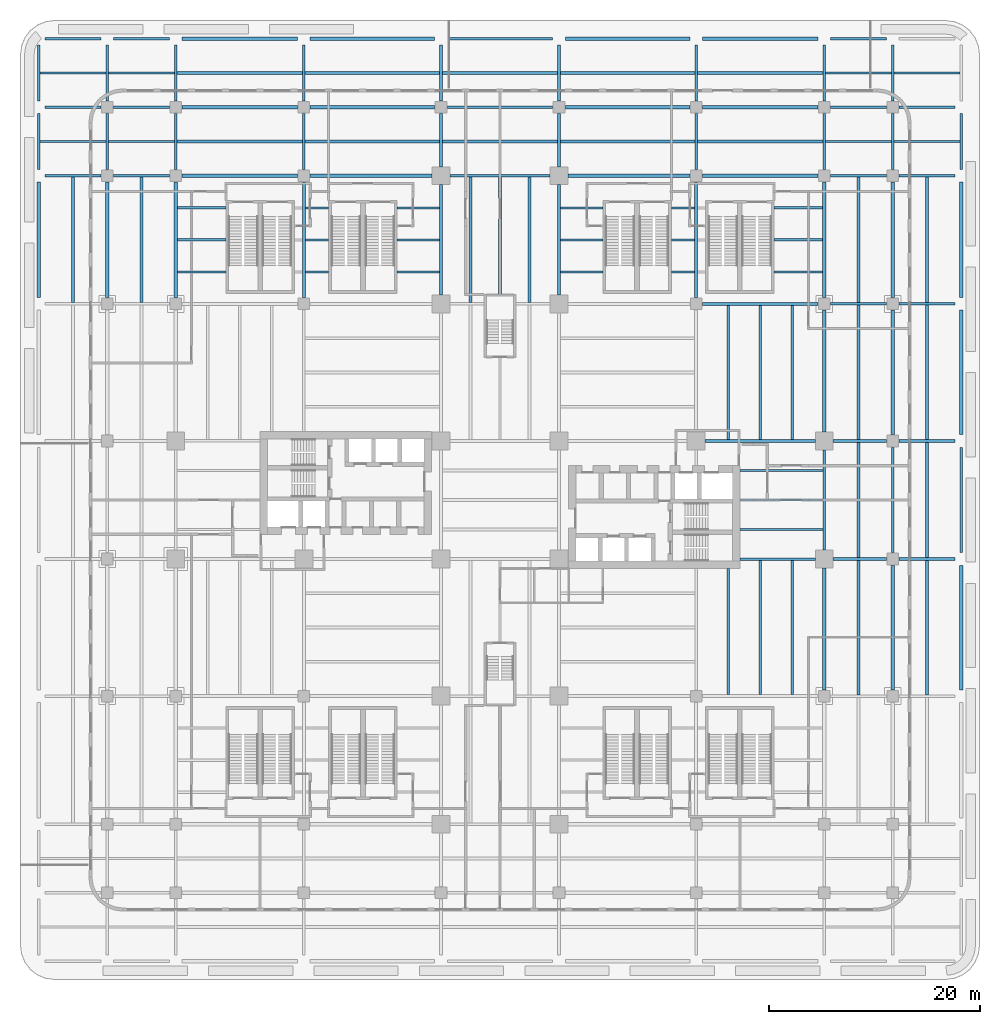
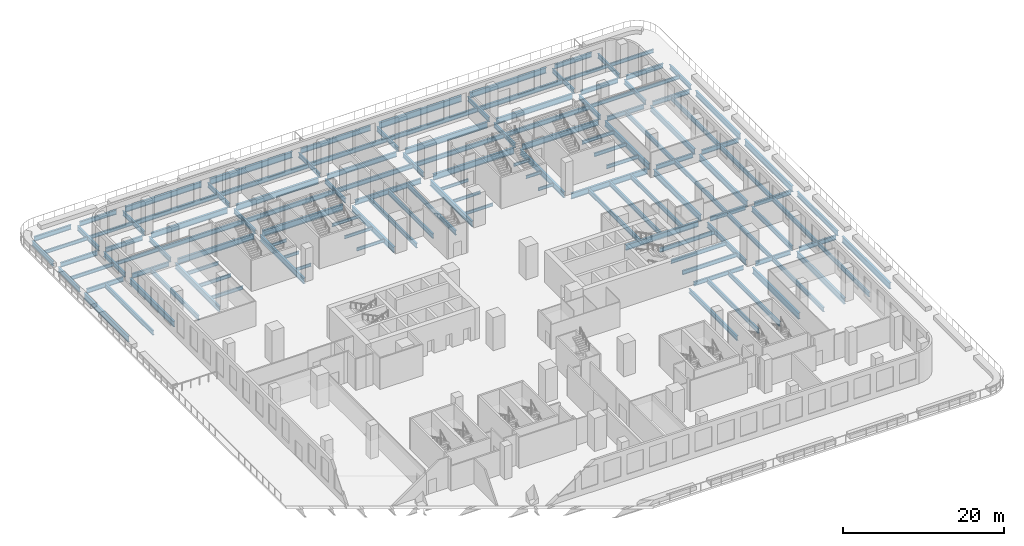
# One storey, part 3 of 18: 131 beams.
"""IFC4 building model written with IfcOpenShell, lengths in metres."""

from ifc_helpers import new_model, si_unit, direction, frame, origin, origin_2d, place, context, subcontext, project, spatial, i_section, extrude, source, transform, mapped, material, material_profile, profile_set, type_object, element, save


model = new_model("IFC4")

# Units and contexts
model_context = context("Model", 3, precision=1e-05, world=origin(), true_north=direction((0.0, 1.0)))
body_context = subcontext(model_context, "Body", "Model", "MODEL_VIEW")
ifc_project = project(units=[si_unit("LENGTHUNIT", "METRE"), si_unit("AREAUNIT", "SQUARE_METRE"), si_unit("VOLUMEUNIT", "CUBIC_METRE"), si_unit("PLANEANGLEUNIT", "RADIAN"), si_unit("MASSUNIT", "GRAM", prefix="KILO")], contexts=[model_context])

# Site, building, storey
site_placement = place(None, origin())
site = spatial("IfcSite", under=ifc_project, at=site_placement, CompositionType="ELEMENT")
building_placement = place(site_placement, origin())
building = spatial("IfcBuilding", under=site, at=building_placement, Name="Trellis Farm Tower", CompositionType="ELEMENT")
storey_placement = place(building_placement, frame((0.0, 0.0, 14.0)))
storey = spatial("IfcBuildingStorey", under=building, at=storey_placement, Name="L02", CompositionType="ELEMENT", Elevation=14.0)

# Beams
ifc_material = material(Name="Steel S355", Category="steel")
ifc_material_profile_1 = material_profile(ifc_material, i_section(OverallWidth=0.253662109375, OverallDepth=0.68359375, WebThickness=0.012451171875, FlangeThickness=0.021728515625, FilletRadius=0.01513671875, at=origin_2d()), Name="UB 686x254x140")
ifc_profile_set_1 = profile_set([ifc_material_profile_1], Name="Steel S355")
beam_type_1 = type_object("IfcBeamType", Name="UB 686x254x140", PredefinedType="BEAM", material=ifc_profile_set_1)
shared_shape_1 = source(origin(), body_context, "Body", "SweptSolid", [
    extrude(i_section(OverallWidth=0.253662109375, OverallDepth=0.68359375, WebThickness=0.012451171875, FlangeThickness=0.021728515625, FilletRadius=0.01513671875, at=origin_2d()), origin(), (0.0, 0.0, 1.0), 5.2998046875),
])
for number, where, z_axis, x_axis, name in (
    (1, (37.85009765625, -5.60009765625, -0.641845703125), (1.0, 0.0, 0.0), (0.0, 1.0, 0.0), "Girder"),
    (2, (37.85009765625, 5.60009765625, -0.641845703125), (1.0, 0.0, 0.0), (0.0, 1.0, 0.0), "Girder"),
    (3, (31.35009765625, 18.60009765625, -0.641845703125), (1.0, 0.0, 0.0), (0.0, 1.0, 0.0), "Girder"),
    (4, (37.85009765625, 18.60009765625, -0.641845703125), (1.0, 0.0, 0.0), (0.0, 1.0, 0.0), "Girder"),
    (5, (-43.14990234375, 30.75, -0.641845703125), (1.0, 0.0, 0.0), (0.0, 1.0, 0.0), "Girder"),
    (6, (-36.64990234375, 30.75, -0.641845703125), (1.0, 0.0, 0.0), (0.0, 1.0, 0.0), "Girder"),
    (7, (31.35009765625, 30.75, -0.641845703125), (1.0, 0.0, 0.0), (0.0, 1.0, 0.0), "Girder"),
    (8, (37.85009765625, 30.75, -0.641845703125), (1.0, 0.0, 0.0), (0.0, 1.0, 0.0), "Girder"),
    (9, (-43.14990234375, 37.25, -0.641845703125), (1.0, 0.0, 0.0), (0.0, 1.0, 0.0), "Girder"),
    (10, (-36.64990234375, 37.25, -0.641845703125), (1.0, 0.0, 0.0), (0.0, 1.0, 0.0), "Girder"),
    (11, (31.35009765625, 37.25, -0.641845703125), (1.0, 0.0, 0.0), (0.0, 1.0, 0.0), "Girder"),
    (12, (37.85009765625, 37.25, -0.641845703125), (1.0, 0.0, 0.0), (0.0, 1.0, 0.0), "Girder"),
    (13, (-43.14990234375, 43.75, -0.641845703125), (1.0, 0.0, 0.0), (0.0, 1.0, 0.0), "Girder"),
    (14, (-36.64990234375, 43.75, -0.641845703125), (1.0, 0.0, 0.0), (0.0, 1.0, 0.0), "Girder"),
    (15, (31.35009765625, 43.75, -0.641845703125), (1.0, 0.0, 0.0), (0.0, 1.0, 0.0), "Girder"),
    (16, (-43.75, 31.35009765625, -0.641845703125), (0.0, 1.0, 0.0), (-1.0, 0.0, 0.0), "Girder"),
    (17, (-43.75, 37.85009765625, -0.641845703125), (0.0, 1.0, 0.0), (-1.0, 0.0, 0.0), "Girder"),
    (18, (-37.25, 31.35009765625, -0.641845703125), (0.0, 1.0, 0.0), (-1.0, 0.0, 0.0), "Girder"),
    (19, (-37.25, 37.85009765625, -0.641845703125), (0.0, 1.0, 0.0), (-1.0, 0.0, 0.0), "Girder"),
    (20, (-30.75, 31.35009765625, -0.641845703125), (0.0, 1.0, 0.0), (-1.0, 0.0, 0.0), "Girder"),
    (21, (-30.75, 37.85009765625, -0.641845703125), (0.0, 1.0, 0.0), (-1.0, 0.0, 0.0), "Girder"),
    (22, (-18.60009765625, 31.35009765625, -0.641845703125), (0.0, 1.0, 0.0), (-1.0, 0.0, 0.0), "Girder"),
    (23, (-18.60009765625, 37.85009765625, -0.641845703125), (0.0, 1.0, 0.0), (-1.0, 0.0, 0.0), "Girder"),
    (24, (-5.60009765625, 37.85009765625, -0.641845703125), (0.0, 1.0, 0.0), (-1.0, 0.0, 0.0), "Girder"),
    (25, (5.60009765625, 37.85009765625, -0.641845703125), (0.0, 1.0, 0.0), (-1.0, 0.0, 0.0), "Girder"),
    (26, (18.60009765625, 31.35009765625, -0.641845703125), (0.0, 1.0, 0.0), (-1.0, 0.0, 0.0), "Girder"),
    (27, (18.60009765625, 37.85009765625, -0.641845703125), (0.0, 1.0, 0.0), (-1.0, 0.0, 0.0), "Girder"),
    (28, (30.75, 31.35009765625, -0.641845703125), (0.0, 1.0, 0.0), (-1.0, 0.0, 0.0), "Girder"),
    (29, (30.75, 37.85009765625, -0.641845703125), (0.0, 1.0, 0.0), (-1.0, 0.0, 0.0), "Girder"),
    (30, (37.25, 31.35009765625, -0.641845703125), (0.0, 1.0, 0.0), (-1.0, 0.0, 0.0), "Girder"),
    (31, (37.25, 37.85009765625, -0.641845703125), (0.0, 1.0, 0.0), (-1.0, 0.0, 0.0), "Girder"),
    (32, (43.75, 31.35009765625, -0.641845703125), (0.0, 1.0, 0.0), (-1.0, 0.0, 0.0), "Girder"),
):
    element("IfcBeam", number, at=place(storey_placement, frame(where, z_axis=z_axis, x_axis=x_axis)), inside=storey, type_object=beam_type_1, Name=name, PredefinedType="BEAM", context=body_context, shape_type="MappedRepresentation", body=[
        mapped(shared_shape_1, transform((0.0, 0.0, 0.0))),
    ])
ifc_material_profile_2 = material_profile(ifc_material, i_section(OverallWidth=0.305419921875, OverallDepth=0.91845703125, WebThickness=0.017333984375, FlangeThickness=0.02783203125, FilletRadius=0.01904296875, at=origin_2d()), Name="UB 914x305x253")
ifc_profile_set_2 = profile_set([ifc_material_profile_2], Name="Steel S355")
beam_type_2 = type_object("IfcBeamType", Name="UB 914x305x253", PredefinedType="BEAM", material=ifc_profile_set_2)
shared_shape_2 = source(origin(), body_context, "Body", "SweptSolid", [
    extrude(i_section(OverallWidth=0.305419921875, OverallDepth=0.91845703125, WebThickness=0.017333984375, FlangeThickness=0.02783203125, FilletRadius=0.01904296875, at=origin_2d()), origin(), (0.0, 0.0, 1.0), 11.800048828125),
])
for number, where, z_axis, x_axis, name in (
    (33, (-18.0, 37.25, -0.75927734375), (1.0, 0.0, 0.0), (0.0, 1.0, 0.0), "Girder"),
    (34, (6.199951171875, 37.25, -0.75927734375), (1.0, 0.0, 0.0), (0.0, 1.0, 0.0), "Girder"),
    (35, (-18.0, 43.75, -0.75927734375), (1.0, 0.0, 0.0), (0.0, 1.0, 0.0), "Girder"),
    (36, (6.199951171875, 43.75, -0.75927734375), (1.0, 0.0, 0.0), (0.0, 1.0, 0.0), "Girder"),
    (37, (37.25, -18.0, -0.75927734375), (0.0, 1.0, 0.0), (-1.0, 0.0, 0.0), "Girder"),
    (38, (37.25, 6.199951171875, -0.75927734375), (0.0, 1.0, 0.0), (-1.0, 0.0, 0.0), "Girder"),
    (39, (43.75, -18.0, -0.75927734375), (0.0, 1.0, 0.0), (-1.0, 0.0, 0.0), "Girder"),
    (40, (43.75, 6.199951171875, -0.75927734375), (0.0, 1.0, 0.0), (-1.0, 0.0, 0.0), "Girder"),
):
    element("IfcBeam", number, at=place(storey_placement, frame(where, z_axis=z_axis, x_axis=x_axis)), inside=storey, type_object=beam_type_2, Name=name, PredefinedType="BEAM", context=body_context, shape_type="MappedRepresentation", body=[
        mapped(shared_shape_2, transform((0.0, 0.0, 0.0))),
    ])
ifc_material_profile_3 = material_profile(ifc_material, i_section(OverallWidth=0.29248046875, OverallDepth=0.8408203125, WebThickness=0.0146484375, FlangeThickness=0.021728515625, FilletRadius=0.017822265625, at=origin_2d()), Name="UB 838x292x194")
ifc_profile_set_3 = profile_set([ifc_material_profile_3], Name="Steel S355")
beam_type_3 = type_object("IfcBeamType", Name="UB 838x292x194", PredefinedType="BEAM", material=ifc_profile_set_3)
shared_shape_3 = source(origin(), body_context, "Body", "SweptSolid", [
    extrude(i_section(OverallWidth=0.29248046875, OverallDepth=0.8408203125, WebThickness=0.0146484375, FlangeThickness=0.021728515625, FilletRadius=0.017822265625, at=origin_2d()), origin(), (0.0, 0.0, 1.0), 10.949951171875),
])
for number, where, z_axis, x_axis, name in (
    (41, (19.199951171875, 18.60009765625, -0.72021484375), (1.0, 0.0, 0.0), (0.0, 1.0, 0.0), "Girder"),
    (42, (-30.14990234375, 30.75, -0.72021484375), (1.0, 0.0, 0.0), (0.0, 1.0, 0.0), "Girder"),
    (43, (19.199951171875, 30.75, -0.72021484375), (1.0, 0.0, 0.0), (0.0, 1.0, 0.0), "Girder"),
    (44, (-30.14990234375, 37.25, -0.72021484375), (1.0, 0.0, 0.0), (0.0, 1.0, 0.0), "Girder"),
    (45, (19.199951171875, 37.25, -0.72021484375), (1.0, 0.0, 0.0), (0.0, 1.0, 0.0), "Girder"),
    (46, (-30.14990234375, 43.75, -0.72021484375), (1.0, 0.0, 0.0), (0.0, 1.0, 0.0), "Girder"),
    (47, (19.199951171875, 43.75, -0.72021484375), (1.0, 0.0, 0.0), (0.0, 1.0, 0.0), "Girder"),
    (48, (-43.75, 19.199951171875, -0.72021484375), (0.0, 1.0, 0.0), (-1.0, 0.0, 0.0), "Girder"),
    (49, (-37.25, 19.199951171875, -0.72021484375), (0.0, 1.0, 0.0), (-1.0, 0.0, 0.0), "Girder"),
    (50, (-30.75, 19.199951171875, -0.72021484375), (0.0, 1.0, 0.0), (-1.0, 0.0, 0.0), "Girder"),
    (51, (-18.60009765625, 19.199951171875, -0.72021484375), (0.0, 1.0, 0.0), (-1.0, 0.0, 0.0), "Girder"),
    (52, (18.60009765625, 19.199951171875, -0.72021484375), (0.0, 1.0, 0.0), (-1.0, 0.0, 0.0), "Girder"),
    (53, (30.75, 19.199951171875, -0.72021484375), (0.0, 1.0, 0.0), (-1.0, 0.0, 0.0), "Girder"),
    (54, (37.25, 19.199951171875, -0.72021484375), (0.0, 1.0, 0.0), (-1.0, 0.0, 0.0), "Girder"),
    (55, (43.75, 19.199951171875, -0.72021484375), (0.0, 1.0, 0.0), (-1.0, 0.0, 0.0), "Girder"),
):
    element("IfcBeam", number, at=place(storey_placement, frame(where, z_axis=z_axis, x_axis=x_axis)), inside=storey, type_object=beam_type_3, Name=name, PredefinedType="BEAM", context=body_context, shape_type="MappedRepresentation", body=[
        mapped(shared_shape_3, transform((0.0, 0.0, 0.0))),
    ])
ifc_material_profile_4 = material_profile(ifc_material, i_section(OverallWidth=0.2666015625, OverallDepth=0.76220703125, WebThickness=0.014404296875, FlangeThickness=0.021484375, FilletRadius=0.0166015625, at=origin_2d()), Name="UB 762x267x173")
ifc_profile_set_4 = profile_set([ifc_material_profile_4], Name="Steel S355")
beam_type_4 = type_object("IfcBeamType", Name="UB 762x267x173", PredefinedType="BEAM", material=ifc_profile_set_4)
shared_shape_4 = source(origin(), body_context, "Body", "SweptSolid", [
    extrude(i_section(OverallWidth=0.2666015625, OverallDepth=0.76220703125, WebThickness=0.014404296875, FlangeThickness=0.021484375, FilletRadius=0.0166015625, at=origin_2d()), origin(), (0.0, 0.0, 1.0), 10.0),
])
for number, where, z_axis, x_axis, name in (
    (56, (-5.0, 37.25, -0.68115234375), (1.0, 0.0, 0.0), (0.0, 1.0, 0.0), "Girder"),
    (57, (-5.0, 43.75, -0.68115234375), (1.0, 0.0, 0.0), (0.0, 1.0, 0.0), "Girder"),
    (58, (37.25, -5.0, -0.68115234375), (0.0, 1.0, 0.0), (-1.0, 0.0, 0.0), "Girder"),
    (59, (43.75, -5.0, -0.68115234375), (0.0, 1.0, 0.0), (-1.0, 0.0, 0.0), "Girder"),
):
    element("IfcBeam", number, at=place(storey_placement, frame(where, z_axis=z_axis, x_axis=x_axis)), inside=storey, type_object=beam_type_4, Name=name, PredefinedType="BEAM", context=body_context, shape_type="MappedRepresentation", body=[
        mapped(shared_shape_4, transform((0.0, 0.0, 0.0))),
    ])
shared_shape_5 = source(origin(), body_context, "Body", "SweptSolid", [
    extrude(i_section(OverallWidth=0.305419921875, OverallDepth=0.91845703125, WebThickness=0.017333984375, FlangeThickness=0.02783203125, FilletRadius=0.01904296875, at=origin_2d()), origin(), (0.0, 0.0, 1.0), 11.550048828125),
])
for number, where, z_axis, x_axis, name in (
    (60, (-18.0, 30.75, -0.75927734375), (1.0, 0.0, 0.0), (0.0, 1.0, 0.0), "Girder"),
    (61, (6.449951171875, 30.75, -0.75927734375), (1.0, 0.0, 0.0), (0.0, 1.0, 0.0), "Girder"),
    (62, (30.75, -18.0, -0.75927734375), (0.0, 1.0, 0.0), (-1.0, 0.0, 0.0), "Girder"),
    (63, (30.75, 6.449951171875, -0.75927734375), (0.0, 1.0, 0.0), (-1.0, 0.0, 0.0), "Girder"),
):
    element("IfcBeam", number, at=place(storey_placement, frame(where, z_axis=z_axis, x_axis=x_axis)), inside=storey, type_object=beam_type_2, Name=name, PredefinedType="BEAM", context=body_context, shape_type="MappedRepresentation", body=[
        mapped(shared_shape_5, transform((0.0, 0.0, 0.0))),
    ])
shared_shape_6 = source(origin(), body_context, "Body", "SweptSolid", [
    extrude(i_section(OverallWidth=0.2666015625, OverallDepth=0.76220703125, WebThickness=0.014404296875, FlangeThickness=0.021484375, FilletRadius=0.0166015625, at=origin_2d()), origin(), (0.0, 0.0, 1.0), 9.5),
])
for number, where, z_axis, x_axis, name in (
    (64, (-4.75, 30.75, -0.68115234375), (1.0, 0.0, 0.0), (0.0, 1.0, 0.0), "Girder"),
    (65, (30.75, -4.75, -0.68115234375), (0.0, 1.0, 0.0), (-1.0, 0.0, 0.0), "Girder"),
):
    element("IfcBeam", number, at=place(storey_placement, frame(where, z_axis=z_axis, x_axis=x_axis)), inside=storey, type_object=beam_type_4, Name=name, PredefinedType="BEAM", context=body_context, shape_type="MappedRepresentation", body=[
        mapped(shared_shape_6, transform((0.0, 0.0, 0.0))),
    ])
shared_shape_7 = source(origin(), body_context, "Body", "SweptSolid", [
    extrude(i_section(OverallWidth=0.253662109375, OverallDepth=0.68359375, WebThickness=0.012451171875, FlangeThickness=0.021728515625, FilletRadius=0.01513671875, at=origin_2d()), origin(), (0.0, 0.0, 1.0), 5.0498046875),
])
for number, where, z_axis, x_axis, name in (
    (66, (31.60009765625, -5.60009765625, -0.641845703125), (1.0, 0.0, 0.0), (0.0, 1.0, 0.0), "Girder"),
    (67, (31.60009765625, 5.60009765625, -0.641845703125), (1.0, 0.0, 0.0), (0.0, 1.0, 0.0), "Girder"),
    (68, (-5.60009765625, 31.60009765625, -0.641845703125), (0.0, 1.0, 0.0), (-1.0, 0.0, 0.0), "Girder"),
    (69, (5.60009765625, 31.60009765625, -0.641845703125), (0.0, 1.0, 0.0), (-1.0, 0.0, 0.0), "Girder"),
):
    element("IfcBeam", number, at=place(storey_placement, frame(where, z_axis=z_axis, x_axis=x_axis)), inside=storey, type_object=beam_type_1, Name=name, PredefinedType="BEAM", context=body_context, shape_type="MappedRepresentation", body=[
        mapped(shared_shape_7, transform((0.0, 0.0, 0.0))),
    ])
ifc_material_profile_5 = material_profile(ifc_material, i_section(OverallWidth=0.22900390625, OverallDepth=0.6123046875, WebThickness=0.011962890625, FlangeThickness=0.01953125, FilletRadius=0.0126953125, at=origin_2d()), Name="UB 610x229x125")
ifc_profile_set_5 = profile_set([ifc_material_profile_5], Name="Steel S355")
beam_type_5 = type_object("IfcBeamType", Name="UB 610x229x125", PredefinedType="BEAM", material=ifc_profile_set_5)
shared_shape_8 = source(origin(), body_context, "Body", "SweptSolid", [
    extrude(i_section(OverallWidth=0.22900390625, OverallDepth=0.6123046875, WebThickness=0.011962890625, FlangeThickness=0.01953125, FilletRadius=0.0126953125, at=origin_2d()), origin(), (0.0, 0.0, 1.0), 7.14990234375),
])
beam_1_placement = place(storey_placement, frame((22.75, -5.60009765625, -0.606201171875), z_axis=(1.0, 0.0, 0.0), x_axis=(0.0, 1.0, 0.0)))
element("IfcBeam", 70, at=beam_1_placement, inside=storey, type_object=beam_type_5, Name="Girder", PredefinedType="BEAM", context=body_context, shape_type="MappedRepresentation", body=[
    mapped(shared_shape_8, transform((0.0, 0.0, 0.0))),
])
shared_shape_9 = source(origin(), body_context, "Body", "SweptSolid", [
    extrude(i_section(OverallWidth=0.29248046875, OverallDepth=0.8408203125, WebThickness=0.0146484375, FlangeThickness=0.021728515625, FilletRadius=0.017822265625, at=origin_2d()), origin(), (0.0, 0.0, 1.0), 10.449951171875),
])
for number, where, z_axis, x_axis, name in (
    (71, (19.449951171875, 5.60009765625, -0.72021484375), (1.0, 0.0, 0.0), (0.0, 1.0, 0.0), "Girder"),
    (72, (-5.60009765625, 19.449951171875, -0.72021484375), (0.0, 1.0, 0.0), (-1.0, 0.0, 0.0), "Girder"),
    (73, (5.60009765625, 19.449951171875, -0.72021484375), (0.0, 1.0, 0.0), (-1.0, 0.0, 0.0), "Girder"),
):
    element("IfcBeam", number, at=place(storey_placement, frame(where, z_axis=z_axis, x_axis=x_axis)), inside=storey, type_object=beam_type_3, Name=name, PredefinedType="BEAM", context=body_context, shape_type="MappedRepresentation", body=[
        mapped(shared_shape_9, transform((0.0, 0.0, 0.0))),
    ])
ifc_material_profile_6 = material_profile(ifc_material, i_section(OverallWidth=0.253662109375, OverallDepth=0.68359375, WebThickness=0.012451171875, FlangeThickness=0.021728515625, FilletRadius=0.01513671875, at=origin_2d()), Name="UB 686x254x140")
ifc_profile_set_6 = profile_set([ifc_material_profile_6], Name="Steel S355")
beam_type_6 = type_object("IfcBeamType", Name="UB 686x254x140 joist", PredefinedType="JOIST", material=ifc_profile_set_6)
shared_shape_10 = source(origin(), body_context, "Body", "SweptSolid", [
    extrude(i_section(OverallWidth=0.253662109375, OverallDepth=0.68359375, WebThickness=0.012451171875, FlangeThickness=0.021728515625, FilletRadius=0.01513671875, at=origin_2d()), origin(), (0.0, 0.0, 1.0), 12.746337890625),
])
for number, where, z_axis, x_axis, name in (
    (74, (-18.47314453125, 34.0, -0.641845703125), (1.0, 0.0, 0.0), (0.0, 1.0, 0.0), "Floor beam"),
    (75, (5.726806640625, 34.0, -0.641845703125), (1.0, 0.0, 0.0), (0.0, 1.0, 0.0), "Floor beam"),
    (76, (-18.47314453125, 40.5, -0.641845703125), (1.0, 0.0, 0.0), (0.0, 1.0, 0.0), "Floor beam"),
    (77, (5.726806640625, 40.5, -0.641845703125), (1.0, 0.0, 0.0), (0.0, 1.0, 0.0), "Floor beam"),
    (78, (34.0, -18.47314453125, -0.641845703125), (0.0, 1.0, 0.0), (-1.0, 0.0, 0.0), "Floor beam"),
    (79, (34.0, 5.726806640625, -0.641845703125), (0.0, 1.0, 0.0), (-1.0, 0.0, 0.0), "Floor beam"),
    (80, (40.5, -18.47314453125, -0.641845703125), (0.0, 1.0, 0.0), (-1.0, 0.0, 0.0), "Floor beam"),
    (81, (40.5, 5.726806640625, -0.641845703125), (0.0, 1.0, 0.0), (-1.0, 0.0, 0.0), "Floor beam"),
):
    element("IfcBeam", number, at=place(storey_placement, frame(where, z_axis=z_axis, x_axis=x_axis)), inside=storey, type_object=beam_type_6, Name=name, PredefinedType="JOIST", context=body_context, shape_type="MappedRepresentation", body=[
        mapped(shared_shape_10, transform((0.0, 0.0, 0.0))),
    ])
shared_shape_11 = source(origin(), body_context, "Body", "SweptSolid", [
    extrude(i_section(OverallWidth=0.253662109375, OverallDepth=0.68359375, WebThickness=0.012451171875, FlangeThickness=0.021728515625, FilletRadius=0.01513671875, at=origin_2d()), origin(), (0.0, 0.0, 1.0), 11.896240234375),
])
for number, where, z_axis, x_axis, name in (
    (82, (-30.623046875, 34.0, -0.641845703125), (1.0, 0.0, 0.0), (0.0, 1.0, 0.0), "Floor beam"),
    (83, (18.726806640625, 34.0, -0.641845703125), (1.0, 0.0, 0.0), (0.0, 1.0, 0.0), "Floor beam"),
    (84, (-30.623046875, 40.5, -0.641845703125), (1.0, 0.0, 0.0), (0.0, 1.0, 0.0), "Floor beam"),
    (85, (18.726806640625, 40.5, -0.641845703125), (1.0, 0.0, 0.0), (0.0, 1.0, 0.0), "Floor beam"),
    (86, (-40.5, 18.726806640625, -0.641845703125), (0.0, 1.0, 0.0), (-1.0, 0.0, 0.0), "Floor beam"),
    (87, (-34.0, 18.726806640625, -0.641845703125), (0.0, 1.0, 0.0), (-1.0, 0.0, 0.0), "Floor beam"),
    (88, (34.0, 18.726806640625, -0.641845703125), (0.0, 1.0, 0.0), (-1.0, 0.0, 0.0), "Floor beam"),
    (89, (40.5, 18.726806640625, -0.641845703125), (0.0, 1.0, 0.0), (-1.0, 0.0, 0.0), "Floor beam"),
):
    element("IfcBeam", number, at=place(storey_placement, frame(where, z_axis=z_axis, x_axis=x_axis)), inside=storey, type_object=beam_type_6, Name=name, PredefinedType="JOIST", context=body_context, shape_type="MappedRepresentation", body=[
        mapped(shared_shape_11, transform((0.0, 0.0, 0.0))),
    ])
ifc_material_profile_7 = material_profile(ifc_material, i_section(OverallWidth=0.209228515625, OverallDepth=0.533203125, WebThickness=0.010009765625, FlangeThickness=0.015625, FilletRadius=0.0126953125, at=origin_2d()), Name="UB 533x210x92")
ifc_profile_set_7 = profile_set([ifc_material_profile_7], Name="Steel S355")
beam_type_7 = type_object("IfcBeamType", Name="UB 533x210x92 joist", PredefinedType="JOIST", material=ifc_profile_set_7)
shared_shape_12 = source(origin(), body_context, "Body", "SweptSolid", [
    extrude(i_section(OverallWidth=0.209228515625, OverallDepth=0.533203125, WebThickness=0.010009765625, FlangeThickness=0.015625, FilletRadius=0.0126953125, at=origin_2d()), origin(), (0.0, 0.0, 1.0), 6.246337890625),
])
for number, where, z_axis, x_axis, name in (
    (90, (-37.123291015625, 34.0, -0.566650390625), (1.0, 0.0, 0.0), (0.0, 1.0, 0.0), "Floor beam"),
    (91, (30.876953125, 34.0, -0.566650390625), (1.0, 0.0, 0.0), (0.0, 1.0, 0.0), "Floor beam"),
    (92, (-37.123291015625, 40.5, -0.566650390625), (1.0, 0.0, 0.0), (0.0, 1.0, 0.0), "Floor beam"),
    (93, (30.876953125, 40.5, -0.566650390625), (1.0, 0.0, 0.0), (0.0, 1.0, 0.0), "Floor beam"),
):
    element("IfcBeam", number, at=place(storey_placement, frame(where, z_axis=z_axis, x_axis=x_axis)), inside=storey, type_object=beam_type_7, Name=name, PredefinedType="JOIST", context=body_context, shape_type="MappedRepresentation", body=[
        mapped(shared_shape_12, transform((0.0, 0.0, 0.0))),
    ])
shared_shape_13 = source(origin(), body_context, "Body", "SweptSolid", [
    extrude(i_section(OverallWidth=0.209228515625, OverallDepth=0.533203125, WebThickness=0.010009765625, FlangeThickness=0.015625, FilletRadius=0.0126953125, at=origin_2d()), origin(), (0.0, 0.0, 1.0), 6.24658203125),
])
for number, where, z_axis, x_axis, name in (
    (94, (-43.623291015625, 34.0, -0.566650390625), (1.0, 0.0, 0.0), (0.0, 1.0, 0.0), "Floor beam"),
    (95, (37.376708984375, 34.0, -0.566650390625), (1.0, 0.0, 0.0), (0.0, 1.0, 0.0), "Floor beam"),
    (96, (-43.623291015625, 40.5, -0.566650390625), (1.0, 0.0, 0.0), (0.0, 1.0, 0.0), "Floor beam"),
    (97, (37.376708984375, 40.5, -0.566650390625), (1.0, 0.0, 0.0), (0.0, 1.0, 0.0), "Floor beam"),
):
    element("IfcBeam", number, at=place(storey_placement, frame(where, z_axis=z_axis, x_axis=x_axis)), inside=storey, type_object=beam_type_7, Name=name, PredefinedType="JOIST", context=body_context, shape_type="MappedRepresentation", body=[
        mapped(shared_shape_13, transform((0.0, 0.0, 0.0))),
    ])
shared_shape_14 = source(origin(), body_context, "Body", "SweptSolid", [
    extrude(i_section(OverallWidth=0.253662109375, OverallDepth=0.68359375, WebThickness=0.012451171875, FlangeThickness=0.021728515625, FilletRadius=0.01513671875, at=origin_2d()), origin(), (0.0, 0.0, 1.0), 10.9462890625),
])
for number, where, z_axis, x_axis, name in (
    (98, (-5.47314453125, 34.0, -0.641845703125), (1.0, 0.0, 0.0), (0.0, 1.0, 0.0), "Floor beam"),
    (99, (-5.47314453125, 40.5, -0.641845703125), (1.0, 0.0, 0.0), (0.0, 1.0, 0.0), "Floor beam"),
    (100, (34.0, -5.47314453125, -0.641845703125), (0.0, 1.0, 0.0), (-1.0, 0.0, 0.0), "Floor beam"),
    (101, (40.5, -5.47314453125, -0.641845703125), (0.0, 1.0, 0.0), (-1.0, 0.0, 0.0), "Floor beam"),
):
    element("IfcBeam", number, at=place(storey_placement, frame(where, z_axis=z_axis, x_axis=x_axis)), inside=storey, type_object=beam_type_6, Name=name, PredefinedType="JOIST", context=body_context, shape_type="MappedRepresentation", body=[
        mapped(shared_shape_14, transform((0.0, 0.0, 0.0))),
    ])
ifc_material_profile_8 = material_profile(ifc_material, i_section(OverallWidth=0.1904296875, OverallDepth=0.45703125, WebThickness=0.009033203125, FlangeThickness=0.014404296875, FilletRadius=0.01025390625, at=origin_2d()), Name="UB 457x191x74")
ifc_profile_set_8 = profile_set([ifc_material_profile_8], Name="Steel S355")
beam_type_8 = type_object("IfcBeamType", Name="UB 457x191x74 joist", PredefinedType="JOIST", material=ifc_profile_set_8)
shared_shape_15 = source(origin(), body_context, "Body", "SweptSolid", [
    extrude(i_section(OverallWidth=0.1904296875, OverallDepth=0.45703125, WebThickness=0.009033203125, FlangeThickness=0.014404296875, FilletRadius=0.01025390625, at=origin_2d()), origin(), (0.0, 0.0, 1.0), 4.00390625),
])
for number, where, z_axis, x_axis, name in (
    (102, (-9.75, 21.637451171875, -0.528564453125), (1.0, 0.0, 0.0), (0.0, 1.0, 0.0), "Floor beam"),
    (103, (5.74609375, 21.637451171875, -0.528564453125), (1.0, 0.0, 0.0), (0.0, 1.0, 0.0), "Floor beam"),
    (104, (-9.75, 24.675048828125, -0.528564453125), (1.0, 0.0, 0.0), (0.0, 1.0, 0.0), "Floor beam"),
    (105, (5.74609375, 24.675048828125, -0.528564453125), (1.0, 0.0, 0.0), (0.0, 1.0, 0.0), "Floor beam"),
    (106, (-9.75, 27.71240234375, -0.528564453125), (1.0, 0.0, 0.0), (0.0, 1.0, 0.0), "Floor beam"),
    (107, (5.74609375, 27.71240234375, -0.528564453125), (1.0, 0.0, 0.0), (0.0, 1.0, 0.0), "Floor beam"),
):
    element("IfcBeam", number, at=place(storey_placement, frame(where, z_axis=z_axis, x_axis=x_axis)), inside=storey, type_object=beam_type_8, Name=name, PredefinedType="JOIST", context=body_context, shape_type="MappedRepresentation", body=[
        mapped(shared_shape_15, transform((0.0, 0.0, 0.0))),
    ])
shared_shape_16 = source(origin(), body_context, "Body", "SweptSolid", [
    extrude(i_section(OverallWidth=0.1904296875, OverallDepth=0.45703125, WebThickness=0.009033203125, FlangeThickness=0.014404296875, FilletRadius=0.01025390625, at=origin_2d()), origin(), (0.0, 0.0, 1.0), 2.203857421875),
])
for number, where, z_axis, x_axis, name in (
    (108, (-18.453857421875, 21.637451171875, -0.528564453125), (1.0, 0.0, 0.0), (0.0, 1.0, 0.0), "Floor beam"),
    (109, (16.25, 21.637451171875, -0.528564453125), (1.0, 0.0, 0.0), (0.0, 1.0, 0.0), "Floor beam"),
    (110, (-18.453857421875, 24.675048828125, -0.528564453125), (1.0, 0.0, 0.0), (0.0, 1.0, 0.0), "Floor beam"),
    (111, (16.25, 24.675048828125, -0.528564453125), (1.0, 0.0, 0.0), (0.0, 1.0, 0.0), "Floor beam"),
    (112, (-18.453857421875, 27.71240234375, -0.528564453125), (1.0, 0.0, 0.0), (0.0, 1.0, 0.0), "Floor beam"),
    (113, (16.25, 27.71240234375, -0.528564453125), (1.0, 0.0, 0.0), (0.0, 1.0, 0.0), "Floor beam"),
):
    element("IfcBeam", number, at=place(storey_placement, frame(where, z_axis=z_axis, x_axis=x_axis)), inside=storey, type_object=beam_type_8, Name=name, PredefinedType="JOIST", context=body_context, shape_type="MappedRepresentation", body=[
        mapped(shared_shape_16, transform((0.0, 0.0, 0.0))),
    ])
shared_shape_17 = source(origin(), body_context, "Body", "SweptSolid", [
    extrude(i_section(OverallWidth=0.209228515625, OverallDepth=0.533203125, WebThickness=0.010009765625, FlangeThickness=0.015625, FilletRadius=0.0126953125, at=origin_2d()), origin(), (0.0, 0.0, 1.0), 4.603759765625),
])
for number, where, z_axis, x_axis, name in (
    (114, (-30.603759765625, 21.637451171875, -0.566650390625), (1.0, 0.0, 0.0), (0.0, 1.0, 0.0), "Floor beam"),
    (115, (26.0, 21.637451171875, -0.566650390625), (1.0, 0.0, 0.0), (0.0, 1.0, 0.0), "Floor beam"),
    (116, (-30.603759765625, 24.675048828125, -0.566650390625), (1.0, 0.0, 0.0), (0.0, 1.0, 0.0), "Floor beam"),
    (117, (26.0, 24.675048828125, -0.566650390625), (1.0, 0.0, 0.0), (0.0, 1.0, 0.0), "Floor beam"),
    (118, (-30.603759765625, 27.71240234375, -0.566650390625), (1.0, 0.0, 0.0), (0.0, 1.0, 0.0), "Floor beam"),
    (119, (26.0, 27.71240234375, -0.566650390625), (1.0, 0.0, 0.0), (0.0, 1.0, 0.0), "Floor beam"),
):
    element("IfcBeam", number, at=place(storey_placement, frame(where, z_axis=z_axis, x_axis=x_axis)), inside=storey, type_object=beam_type_7, Name=name, PredefinedType="JOIST", context=body_context, shape_type="MappedRepresentation", body=[
        mapped(shared_shape_17, transform((0.0, 0.0, 0.0))),
    ])
ifc_material_profile_9 = material_profile(ifc_material, i_section(OverallWidth=0.2275390625, OverallDepth=0.6025390625, WebThickness=0.010498046875, FlangeThickness=0.014892578125, FilletRadius=0.0126953125, at=origin_2d()), Name="UB 610x229x101")
ifc_profile_set_9 = profile_set([ifc_material_profile_9], Name="Steel S355")
beam_type_9 = type_object("IfcBeamType", Name="UB 610x229x101 joist", PredefinedType="JOIST", material=ifc_profile_set_9)
shared_shape_18 = source(origin(), body_context, "Body", "SweptSolid", [
    extrude(i_section(OverallWidth=0.2275390625, OverallDepth=0.6025390625, WebThickness=0.010498046875, FlangeThickness=0.014892578125, FilletRadius=0.0126953125, at=origin_2d()), origin(), (0.0, 0.0, 1.0), 7.86669921875),
])
for number, where, z_axis, x_axis, name in (
    (120, (22.75, -2.800048828125, -0.601318359375), (1.0, 0.0, 0.0), (0.0, 1.0, 0.0), "Floor beam"),
    (121, (22.75, 0.0, -0.601318359375), (1.0, 0.0, 0.0), (0.0, 1.0, 0.0), "Floor beam"),
    (122, (22.75, 2.800048828125, -0.601318359375), (1.0, 0.0, 0.0), (0.0, 1.0, 0.0), "Floor beam"),
):
    element("IfcBeam", number, at=place(storey_placement, frame(where, z_axis=z_axis, x_axis=x_axis)), inside=storey, type_object=beam_type_9, Name=name, PredefinedType="JOIST", context=body_context, shape_type="MappedRepresentation", body=[
        mapped(shared_shape_18, transform((0.0, 0.0, 0.0))),
    ])
shared_shape_19 = source(origin(), body_context, "Body", "SweptSolid", [
    extrude(i_section(OverallWidth=0.253662109375, OverallDepth=0.68359375, WebThickness=0.012451171875, FlangeThickness=0.021728515625, FilletRadius=0.01513671875, at=origin_2d()), origin(), (0.0, 0.0, 1.0), 12.707763671875),
])
for number, where, z_axis, x_axis, name in (
    (123, (21.637451171875, 5.74609375, -0.641845703125), (0.0, 1.0, 0.0), (-1.0, 0.0, 0.0), "Floor beam"),
    (124, (24.675048828125, 5.74609375, -0.641845703125), (0.0, 1.0, 0.0), (-1.0, 0.0, 0.0), "Floor beam"),
    (125, (27.71240234375, 5.74609375, -0.641845703125), (0.0, 1.0, 0.0), (-1.0, 0.0, 0.0), "Floor beam"),
):
    element("IfcBeam", number, at=place(storey_placement, frame(where, z_axis=z_axis, x_axis=x_axis)), inside=storey, type_object=beam_type_6, Name=name, PredefinedType="JOIST", context=body_context, shape_type="MappedRepresentation", body=[
        mapped(shared_shape_19, transform((0.0, 0.0, 0.0))),
    ])
shared_shape_20 = source(origin(), body_context, "Body", "SweptSolid", [
    extrude(i_section(OverallWidth=0.253662109375, OverallDepth=0.68359375, WebThickness=0.012451171875, FlangeThickness=0.021728515625, FilletRadius=0.01513671875, at=origin_2d()), origin(), (0.0, 0.0, 1.0), 12.7392578125),
])
for number, where, z_axis, x_axis, name in (
    (126, (24.675048828125, -18.453857421875, -0.641845703125), (0.0, 1.0, 0.0), (-1.0, 0.0, 0.0), "Floor beam"),
    (127, (27.71240234375, -18.453857421875, -0.641845703125), (0.0, 1.0, 0.0), (-1.0, 0.0, 0.0), "Floor beam"),
):
    element("IfcBeam", number, at=place(storey_placement, frame(where, z_axis=z_axis, x_axis=x_axis)), inside=storey, type_object=beam_type_6, Name=name, PredefinedType="JOIST", context=body_context, shape_type="MappedRepresentation", body=[
        mapped(shared_shape_20, transform((0.0, 0.0, 0.0))),
    ])
shared_shape_21 = source(origin(), body_context, "Body", "SweptSolid", [
    extrude(i_section(OverallWidth=0.253662109375, OverallDepth=0.68359375, WebThickness=0.012451171875, FlangeThickness=0.021728515625, FilletRadius=0.01513671875, at=origin_2d()), origin(), (0.0, 0.0, 1.0), 11.902099609375),
])
for number, where, z_axis, x_axis, name in (
    (128, (-2.800048828125, 18.714599609375, -0.641845703125), (0.0, 1.0, 0.0), (-1.0, 0.0, 0.0), "Floor beam"),
    (129, (2.800048828125, 18.714599609375, -0.641845703125), (0.0, 1.0, 0.0), (-1.0, 0.0, 0.0), "Floor beam"),
):
    element("IfcBeam", number, at=place(storey_placement, frame(where, z_axis=z_axis, x_axis=x_axis)), inside=storey, type_object=beam_type_6, Name=name, PredefinedType="JOIST", context=body_context, shape_type="MappedRepresentation", body=[
        mapped(shared_shape_21, transform((0.0, 0.0, 0.0))),
    ])
shared_shape_22 = source(origin(), body_context, "Body", "SweptSolid", [
    extrude(i_section(OverallWidth=0.253662109375, OverallDepth=0.68359375, WebThickness=0.012451171875, FlangeThickness=0.021728515625, FilletRadius=0.01513671875, at=origin_2d()), origin(), (0.0, 0.0, 1.0), 11.11669921875),
])
beam_2_placement = place(storey_placement, frame((0.0, 19.5, -0.641845703125), z_axis=(0.0, 1.0, 0.0), x_axis=(-1.0, 0.0, 0.0)))
element("IfcBeam", 130, at=beam_2_placement, inside=storey, type_object=beam_type_6, Name="Floor beam", PredefinedType="JOIST", context=body_context, shape_type="MappedRepresentation", body=[
    mapped(shared_shape_22, transform((0.0, 0.0, 0.0))),
])
shared_shape_23 = source(origin(), body_context, "Body", "SweptSolid", [
    extrude(i_section(OverallWidth=0.253662109375, OverallDepth=0.68359375, WebThickness=0.012451171875, FlangeThickness=0.021728515625, FilletRadius=0.01513671875, at=origin_2d()), origin(), (0.0, 0.0, 1.0), 11.953857421875),
])
beam_3_placement = place(storey_placement, frame((21.637451171875, -18.453857421875, -0.641845703125), z_axis=(0.0, 1.0, 0.0), x_axis=(-1.0, 0.0, 0.0)))
element("IfcBeam", 131, at=beam_3_placement, inside=storey, type_object=beam_type_6, Name="Floor beam", PredefinedType="JOIST", context=body_context, shape_type="MappedRepresentation", body=[
    mapped(shared_shape_23, transform((0.0, 0.0, 0.0))),
])

save(model, "model.ifc")
